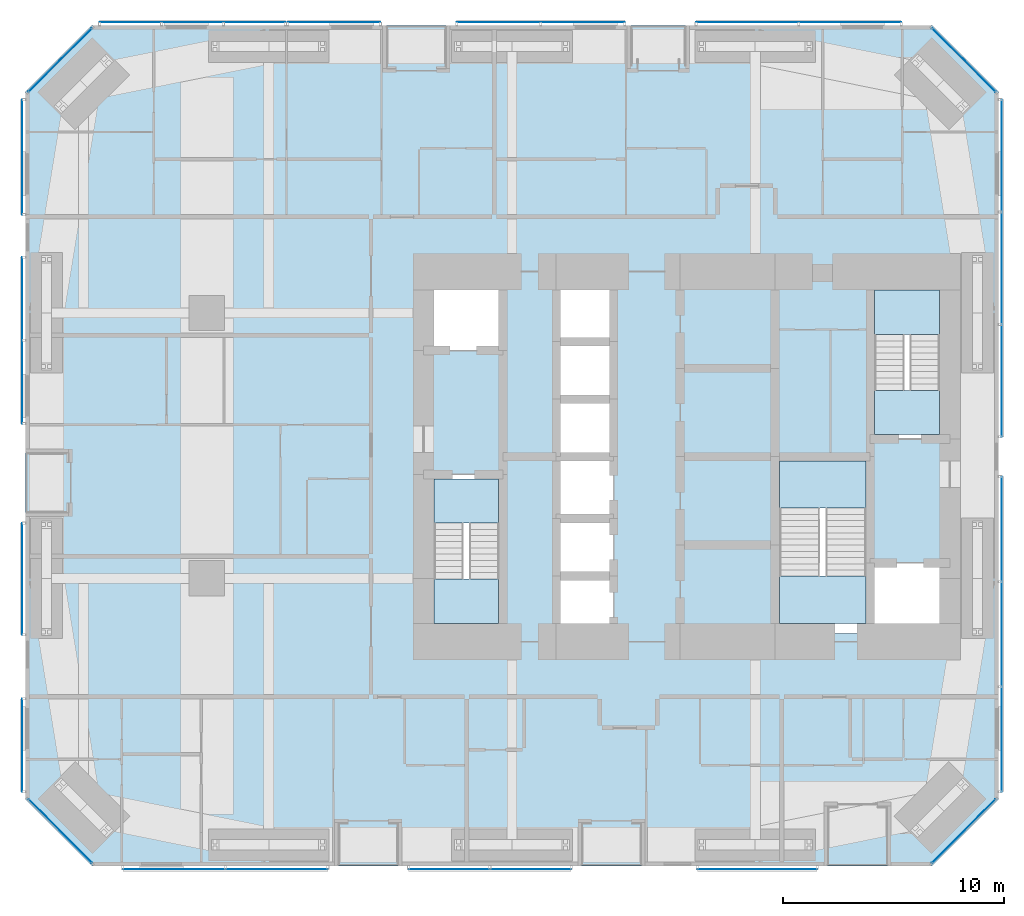
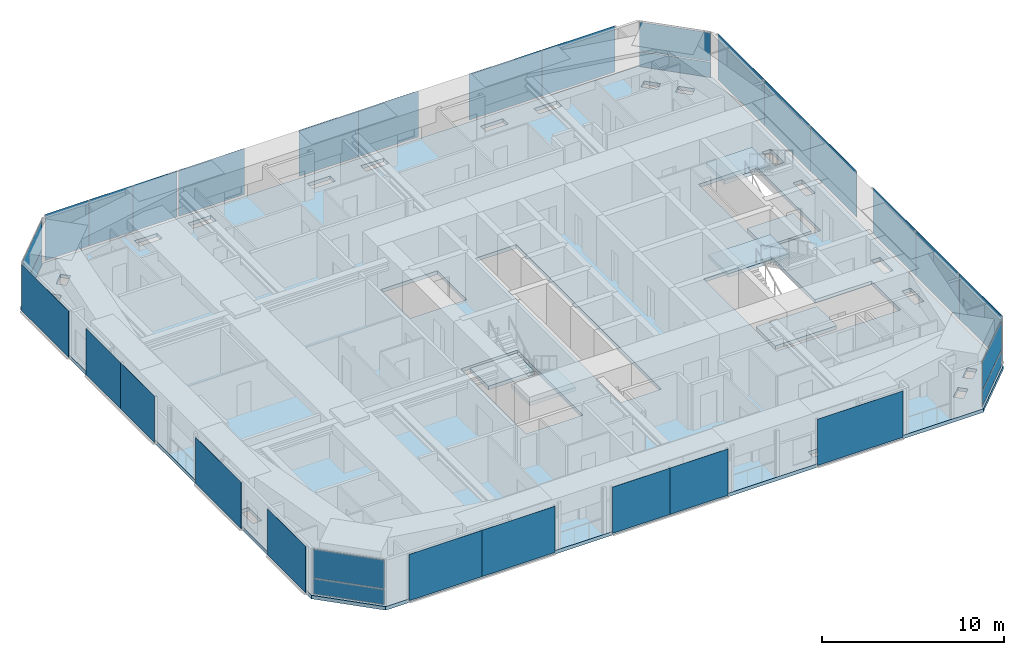
# One storey, part 15 of 23: 32 plates, 7 slabs, 20 elements without a shape of their own.
"""IFC4 building model written with IfcOpenShell, lengths in metres."""

from ifc_helpers import new_model, si_unit, direction, frame, origin, origin_2d, place, context, subcontext, project, spatial, polyline, rectangle, outline, extrude, material, layer, layer_set, type_object, element, aggregate, save


model = new_model("IFC4")

# Units and contexts
model_context = context("Model", 3, precision=1e-05, world=origin(), true_north=direction((0.0, 1.0)))
body_context = subcontext(model_context, "Body", "Model", "MODEL_VIEW")
ifc_project = project(units=[si_unit("LENGTHUNIT", "METRE"), si_unit("AREAUNIT", "SQUARE_METRE"), si_unit("VOLUMEUNIT", "CUBIC_METRE"), si_unit("PLANEANGLEUNIT", "RADIAN"), si_unit("MASSUNIT", "GRAM", prefix="KILO")], contexts=[model_context])

# Site, building, storey
site_placement = place(None, origin())
site = spatial("IfcSite", under=ifc_project, at=site_placement, CompositionType="ELEMENT")
building_placement = place(site_placement, origin())
building = spatial("IfcBuilding", under=site, at=building_placement, Name="Jalousie Tower", CompositionType="ELEMENT")
storey_placement = place(building_placement, frame((0.0, 0.0, 34.39990234375)))
storey = spatial("IfcBuildingStorey", under=building, at=storey_placement, Name="L08", CompositionType="ELEMENT", Elevation=34.39990234375)

# Curtain wall, plates
ifc_material_1 = material(Name="Aluminium curtain wall", Category="aluminium")
curtain_wall_type_1 = type_object("IfcCurtainWallType", Name="CORNER WINDOW WALL", PredefinedType="USERDEFINED", material=ifc_material_1)
curtain_wall_1_placement = place(storey_placement, origin())
curtain_wall_1 = element("IfcCurtainWall", 1, at=curtain_wall_1_placement, inside=storey, type_object=curtain_wall_type_1, Name="Corner Window Wall L08 2", ObjectType="CORNER WINDOW WALL", PredefinedType="USERDEFINED")
ifc_material_2 = material(Name="Laminated impact-rated spandrel glass", Category="glass")
ifc_layer_1 = layer(ifc_material_2, 0.028076171875)
ifc_layer_set_1 = layer_set([ifc_layer_1], Name="Laminated impact-rated spandrel glass")
plate_type_1 = type_object("IfcPlateType", Name="CORNER WINDOW WALL PANEL", PredefinedType="CURTAIN_PANEL", material=ifc_layer_set_1)
plate_1_placement = place(storey_placement, frame((44.4306640625, 1.5693359375, 0.06005859375), z_axis=(0.0, 0.0, 1.0), x_axis=(0.707106781187, 0.707106781187, 0.0)))
plate_1 = element("IfcPlate", 2, at=plate_1_placement, type_object=plate_type_1, Name="CW-C panel 1.1", PredefinedType="CURTAIN_PANEL", context=body_context, shape_type="SweptSolid", body=[
    extrude(rectangle(XDim=4.071533203125, YDim=0.028076171875, at=origin_2d()), origin(), (0.0, 0.0, 1.0), 1.010009765625),
])
plate_2_placement = place(storey_placement, frame((44.4306640625, 1.5693359375, 1.130126953125), z_axis=(0.0, 0.0, 1.0), x_axis=(0.707106781187, 0.707106781187, 0.0)))
plate_2 = element("IfcPlate", 3, at=plate_2_placement, type_object=plate_type_1, Name="CW-C panel 1.2", PredefinedType="CURTAIN_PANEL", context=body_context, shape_type="SweptSolid", body=[
    extrude(rectangle(XDim=4.071533203125, YDim=0.028076171875, at=origin_2d()), origin(), (0.0, 0.0, 1.0), 1.919921875),
])
aggregate(curtain_wall_1, [plate_1, plate_2])

curtain_wall_2_placement = place(storey_placement, origin())
curtain_wall_2 = element("IfcCurtainWall", 4, at=curtain_wall_2_placement, inside=storey, type_object=curtain_wall_type_1, Name="Corner Window Wall L08 4", ObjectType="CORNER WINDOW WALL", PredefinedType="USERDEFINED")
plate_3_placement = place(storey_placement, frame((44.4306640625, 36.4306640625, 0.06005859375), z_axis=(0.0, 0.0, 1.0), x_axis=(-0.707106781187, 0.707106781187, 0.0)))
plate_3 = element("IfcPlate", 5, at=plate_3_placement, type_object=plate_type_1, Name="CW-C panel 1.1", PredefinedType="CURTAIN_PANEL", context=body_context, shape_type="SweptSolid", body=[
    extrude(rectangle(XDim=4.071533203125, YDim=0.028076171875, at=origin_2d()), origin(), (0.0, 0.0, 1.0), 1.010009765625),
])
plate_4_placement = place(storey_placement, frame((44.4306640625, 36.4306640625, 1.130126953125), z_axis=(0.0, 0.0, 1.0), x_axis=(-0.707106781187, 0.707106781187, 0.0)))
plate_4 = element("IfcPlate", 6, at=plate_4_placement, type_object=plate_type_1, Name="CW-C panel 1.2", PredefinedType="CURTAIN_PANEL", context=body_context, shape_type="SweptSolid", body=[
    extrude(rectangle(XDim=4.071533203125, YDim=0.028076171875, at=origin_2d()), origin(), (0.0, 0.0, 1.0), 1.919921875),
])
aggregate(curtain_wall_2, [plate_3, plate_4])

curtain_wall_3_placement = place(storey_placement, origin())
curtain_wall_3 = element("IfcCurtainWall", 7, at=curtain_wall_3_placement, inside=storey, type_object=curtain_wall_type_1, Name="Corner Window Wall L08 6", ObjectType="CORNER WINDOW WALL", PredefinedType="USERDEFINED")
plate_5_placement = place(storey_placement, frame((3.5693359375, 36.4306640625, 0.06005859375), z_axis=(0.0, 0.0, 1.0), x_axis=(-0.707106781187, -0.707106781187, 0.0)))
plate_5 = element("IfcPlate", 8, at=plate_5_placement, type_object=plate_type_1, Name="CW-C panel 1.1", PredefinedType="CURTAIN_PANEL", context=body_context, shape_type="SweptSolid", body=[
    extrude(rectangle(XDim=4.071533203125, YDim=0.028076171875, at=origin_2d()), origin(), (0.0, 0.0, 1.0), 1.010009765625),
])
plate_6_placement = place(storey_placement, frame((3.5693359375, 36.4306640625, 1.130126953125), z_axis=(0.0, 0.0, 1.0), x_axis=(-0.707106781187, -0.707106781187, 0.0)))
plate_6 = element("IfcPlate", 9, at=plate_6_placement, type_object=plate_type_1, Name="CW-C panel 1.2", PredefinedType="CURTAIN_PANEL", context=body_context, shape_type="SweptSolid", body=[
    extrude(rectangle(XDim=4.071533203125, YDim=0.028076171875, at=origin_2d()), origin(), (0.0, 0.0, 1.0), 1.919921875),
])
aggregate(curtain_wall_3, [plate_5, plate_6])

curtain_wall_4_placement = place(storey_placement, origin())
curtain_wall_4 = element("IfcCurtainWall", 10, at=curtain_wall_4_placement, inside=storey, type_object=curtain_wall_type_1, Name="Corner Window Wall L08 8", ObjectType="CORNER WINDOW WALL", PredefinedType="USERDEFINED")
plate_7_placement = place(storey_placement, frame((3.5693359375, 1.5693359375, 0.06005859375), z_axis=(0.0, 0.0, 1.0), x_axis=(0.707106781187, -0.707106781187, 0.0)))
plate_7 = element("IfcPlate", 11, at=plate_7_placement, type_object=plate_type_1, Name="CW-C panel 1.1", PredefinedType="CURTAIN_PANEL", context=body_context, shape_type="SweptSolid", body=[
    extrude(rectangle(XDim=4.071533203125, YDim=0.028076171875, at=origin_2d()), origin(), (0.0, 0.0, 1.0), 1.010009765625),
])
plate_8_placement = place(storey_placement, frame((3.5693359375, 1.5693359375, 1.130126953125), z_axis=(0.0, 0.0, 1.0), x_axis=(0.707106781187, -0.707106781187, 0.0)))
plate_8 = element("IfcPlate", 12, at=plate_8_placement, type_object=plate_type_1, Name="CW-C panel 1.2", PredefinedType="CURTAIN_PANEL", context=body_context, shape_type="SweptSolid", body=[
    extrude(rectangle(XDim=4.071533203125, YDim=0.028076171875, at=origin_2d()), origin(), (0.0, 0.0, 1.0), 1.919921875),
])
aggregate(curtain_wall_4, [plate_7, plate_8])

# Slab
ifc_material_3 = material(Name="Concrete f'c 40 MPa", Category="concrete")
ifc_layer_2 = layer(ifc_material_3, 0.239990234375)
ifc_layer_set_2 = layer_set([ifc_layer_2], Name="Concrete f'c 40 MPa")
slab_type_1 = type_object("IfcSlabType", Name="FLOOR SLAB 240", PredefinedType="FLOOR", material=ifc_layer_set_2)
slab_1_placement = place(storey_placement, frame((0.0, 0.0, -0.239990234375)))
element("IfcSlab", 13, at=slab_1_placement, inside=storey, type_object=slab_type_1, Name="L08 floor slab", PredefinedType="FLOOR", context=body_context, shape_type="SweptSolid", body=[
    extrude(outline(polyline([(5.0, 0.0), (43.0, 0.0), (46.0, 3.0), (46.0, 35.0), (43.0, 38.0), (5.0, 38.0), (2.0, 35.0), (2.0, 3.0), (5.0, 0.0)]), holes=[polyline([(24.974609375, 0.663818359375), (24.974609375, 1.236083984375), (26.3642578125, 1.236083984375), (26.425048828125, 1.236083984375), (26.425048828125, 0.663818359375), (26.3642578125, 0.663818359375), (24.974609375, 0.663818359375)]), polyline([(23.025390625, 1.236083984375), (23.025390625, 0.663818359375), (21.6357421875, 0.663818359375), (21.574951171875, 0.663818359375), (21.574951171875, 1.236083984375), (21.6357421875, 1.236083984375), (23.025390625, 1.236083984375)]), polyline([(10.574951171875, 1.236083984375), (10.6357421875, 1.236083984375), (12.025390625, 1.236083984375), (12.025390625, 0.663818359375), (10.6357421875, 0.663818359375), (10.574951171875, 0.663818359375), (10.574951171875, 1.236083984375)]), polyline([(13.974609375, 1.236083984375), (15.3642578125, 1.236083984375), (15.425048828125, 1.236083984375), (15.425048828125, 0.663818359375), (15.3642578125, 0.663818359375), (13.974609375, 0.663818359375), (13.974609375, 1.236083984375)]), polyline([(5.373291015625, 1.484619140625), (4.78564453125, 2.072509765625), (5.1904296875, 2.47705078125), (5.778076171875, 1.889404296875), (5.859130859375, 1.808349609375), (5.859130859375, 1.808349609375), (5.859130859375, 1.808349609375), (5.65673828125, 1.606201171875), (5.454345703125, 1.40380859375), (5.373291015625, 1.484619140625), (5.373291015625, 1.484619140625)]), polyline([(4.072509765625, 2.78564453125), (3.40380859375, 3.454345703125), (3.808349609375, 3.859130859375), (3.889404296875, 3.778076171875), (4.47705078125, 3.1904296875), (4.072509765625, 2.78564453125)]), polyline([(3.236083984375, 10.574951171875), (2.663818359375, 10.574951171875), (2.663818359375, 10.6357421875), (2.663818359375, 12.025390625), (3.236083984375, 12.025390625), (3.236083984375, 10.6357421875), (3.236083984375, 10.574951171875)]), polyline([(26.0, 10.5), (26.0, 26.5), (28.60009765625, 26.5), (28.60009765625, 10.5), (26.0, 10.5)]), polyline([(20.0, 10.5), (23.60009765625, 10.5), (23.60009765625, 17.699951171875), (20.0, 17.699951171875), (20.0, 10.5)]), polyline([(3.236083984375, 15.3642578125), (3.236083984375, 13.974609375), (2.663818359375, 13.974609375), (2.663818359375, 15.3642578125), (2.663818359375, 15.425048828125), (3.236083984375, 15.425048828125), (3.236083984375, 15.3642578125)]), polyline([(2.663818359375, 24.025390625), (3.236083984375, 24.025390625), (3.236083984375, 22.6357421875), (3.236083984375, 22.574951171875), (2.663818359375, 22.574951171875), (2.663818359375, 22.6357421875), (2.663818359375, 24.025390625)]), polyline([(20.0, 23.300048828125), (23.60009765625, 23.300048828125), (23.60009765625, 26.5), (20.0, 26.5), (20.0, 23.300048828125)]), polyline([(3.236083984375, 25.974609375), (2.663818359375, 25.974609375), (2.663818359375, 27.3642578125), (2.663818359375, 27.425048828125), (3.236083984375, 27.425048828125), (3.236083984375, 27.3642578125), (3.236083984375, 25.974609375)]), polyline([(3.808349609375, 34.140869140625), (3.606201171875, 34.34326171875), (3.40380859375, 34.545654296875), (3.484619140625, 34.626708984375), (3.484619140625, 34.626708984375), (4.072509765625, 35.21435546875), (4.47705078125, 34.8095703125), (3.889404296875, 34.221923828125), (3.808349609375, 34.140869140625), (3.808349609375, 34.140869140625), (3.808349609375, 34.140869140625)]), polyline([(5.859130859375, 36.191650390625), (5.1904296875, 35.52294921875), (4.78564453125, 35.927490234375), (5.454345703125, 36.59619140625), (5.454345703125, 36.59619140625), (5.454345703125, 36.59619140625), (5.65673828125, 36.393798828125), (5.859130859375, 36.191650390625)]), polyline([(15.425048828125, 37.336181640625), (15.425048828125, 36.763916015625), (15.3642578125, 36.763916015625), (13.974609375, 36.763916015625), (13.974609375, 37.336181640625), (15.3642578125, 37.336181640625), (15.425048828125, 37.336181640625)]), polyline([(23.025390625, 36.763916015625), (21.6357421875, 36.763916015625), (21.574951171875, 36.763916015625), (21.574951171875, 37.336181640625), (21.6357421875, 37.336181640625), (23.025390625, 37.336181640625), (23.025390625, 36.763916015625)]), polyline([(10.574951171875, 36.763916015625), (10.574951171875, 37.336181640625), (10.6357421875, 37.336181640625), (12.025390625, 37.336181640625), (12.025390625, 36.763916015625), (10.6357421875, 36.763916015625), (10.574951171875, 36.763916015625)]), polyline([(24.974609375, 37.336181640625), (26.3642578125, 37.336181640625), (26.425048828125, 37.336181640625), (26.425048828125, 36.763916015625), (26.3642578125, 36.763916015625), (24.974609375, 36.763916015625), (24.974609375, 37.336181640625)]), polyline([(32.6357421875, 0.663818359375), (32.574951171875, 0.663818359375), (32.574951171875, 1.236083984375), (32.6357421875, 1.236083984375), (34.025390625, 1.236083984375), (34.025390625, 0.663818359375), (32.6357421875, 0.663818359375)]), polyline([(37.3642578125, 1.236083984375), (37.425048828125, 1.236083984375), (37.425048828125, 0.663818359375), (37.3642578125, 0.663818359375), (35.974609375, 0.663818359375), (35.974609375, 1.236083984375), (37.3642578125, 1.236083984375)]), polyline([(42.626708984375, 1.484619140625), (42.545654296875, 1.40380859375), (42.34326171875, 1.606201171875), (42.140869140625, 1.808349609375), (42.140869140625, 1.808349609375), (42.140869140625, 1.808349609375), (42.221923828125, 1.889404296875), (42.8095703125, 2.47705078125), (43.21435546875, 2.072509765625), (42.626708984375, 1.484619140625), (42.626708984375, 1.484619140625)]), polyline([(44.191650390625, 3.859130859375), (44.393798828125, 3.65673828125), (44.59619140625, 3.454345703125), (44.59619140625, 3.454345703125), (44.59619140625, 3.454345703125), (43.927490234375, 2.78564453125), (43.52294921875, 3.1904296875), (44.191650390625, 3.859130859375)]), polyline([(45.336181640625, 10.574951171875), (44.763916015625, 10.574951171875), (44.763916015625, 10.6357421875), (44.763916015625, 12.025390625), (45.336181640625, 12.025390625), (45.336181640625, 10.6357421875), (45.336181640625, 10.574951171875)]), polyline([(35.89990234375, 10.5), (35.89990234375, 18.5), (40.199951171875, 18.5), (40.199951171875, 13.699951171875), (43.800048828125, 13.699951171875), (43.800048828125, 10.5), (35.89990234375, 10.5)]), polyline([(45.336181640625, 13.974609375), (44.763916015625, 13.974609375), (44.763916015625, 15.3642578125), (44.763916015625, 15.425048828125), (45.336181640625, 15.425048828125), (45.336181640625, 15.3642578125), (45.336181640625, 13.974609375)]), polyline([(40.199951171875, 19.300048828125), (43.800048828125, 19.300048828125), (43.800048828125, 26.5), (40.199951171875, 26.5), (40.199951171875, 19.300048828125)]), polyline([(45.336181640625, 22.574951171875), (44.763916015625, 22.574951171875), (44.763916015625, 22.6357421875), (44.763916015625, 24.025390625), (45.336181640625, 24.025390625), (45.336181640625, 22.6357421875), (45.336181640625, 22.574951171875)]), polyline([(45.336181640625, 27.3642578125), (45.336181640625, 25.974609375), (44.763916015625, 25.974609375), (44.763916015625, 27.3642578125), (44.763916015625, 27.425048828125), (45.336181640625, 27.425048828125), (45.336181640625, 27.3642578125)]), polyline([(43.927490234375, 35.21435546875), (44.59619140625, 34.545654296875), (44.59619140625, 34.545654296875), (44.393798828125, 34.34326171875), (44.191650390625, 34.140869140625), (43.52294921875, 34.8095703125), (43.927490234375, 35.21435546875)]), polyline([(43.21435546875, 35.927490234375), (42.8095703125, 35.52294921875), (42.140869140625, 36.191650390625), (42.34326171875, 36.393798828125), (42.545654296875, 36.59619140625), (42.545654296875, 36.59619140625), (43.21435546875, 35.927490234375)]), polyline([(37.3642578125, 37.336181640625), (37.425048828125, 37.336181640625), (37.425048828125, 36.763916015625), (37.3642578125, 36.763916015625), (35.974609375, 36.763916015625), (35.974609375, 37.336181640625), (37.3642578125, 37.336181640625)]), polyline([(34.025390625, 37.336181640625), (34.025390625, 36.763916015625), (32.6357421875, 36.763916015625), (32.574951171875, 36.763916015625), (32.574951171875, 37.336181640625), (32.6357421875, 37.336181640625), (34.025390625, 37.336181640625)])]), origin(), (0.0, 0.0, 1.0), 0.239990234375),
])

# Curtain wall, plates
ifc_material_4 = material(Name="Perforated aluminium sheet", Category="aluminium")
curtain_wall_type_2 = type_object("IfcCurtainWallType", Name="SOLAR SCREEN SS-1", PredefinedType="USERDEFINED", material=ifc_material_4)
curtain_wall_5_placement = place(storey_placement, origin())
curtain_wall_5 = element("IfcCurtainWall", 14, at=curtain_wall_5_placement, inside=storey, type_object=curtain_wall_type_2, Name="Solar screen L08", ObjectType="SOLAR SCREEN SS-1", PredefinedType="USERDEFINED")
ifc_material_5 = material(Name="Perforated aluminium sheet", Category="aluminium")
ifc_layer_3 = layer(ifc_material_5, 0.006103515625)
ifc_layer_set_3 = layer_set([ifc_layer_3], Name="Perforated aluminium sheet")
plate_type_2 = type_object("IfcPlateType", Name="SOLAR SCREEN SS-1 PANEL", PredefinedType="CURTAIN_PANEL", material=ifc_layer_set_3)
plate_9_placement = place(storey_placement, frame((8.71875, -0.150390625, 0.0), z_axis=(0.0, 0.0, 1.0), x_axis=(1.0, 0.0, 0.0)))
plate_9 = element("IfcPlate", 15, at=plate_9_placement, type_object=plate_type_2, Name="SS1 perforated panel 1", PredefinedType="CURTAIN_PANEL", context=body_context, shape_type="SweptSolid", body=[
    extrude(rectangle(XDim=4.637451171875, YDim=0.006103515625, at=origin_2d()), origin(), (0.0, 0.0, 1.0), 3.110107421875),
])
plate_10_placement = place(storey_placement, frame((13.356201171875, -0.150390625, 0.0), z_axis=(0.0, 0.0, 1.0), x_axis=(1.0, 0.0, 0.0)))
plate_10 = element("IfcPlate", 16, at=plate_10_placement, type_object=plate_type_2, Name="SS1 perforated panel 2", PredefinedType="CURTAIN_PANEL", context=body_context, shape_type="SweptSolid", body=[
    extrude(rectangle(XDim=4.637451171875, YDim=0.006103515625, at=origin_2d()), origin(), (0.0, 0.0, 1.0), 3.110107421875),
])
aggregate(curtain_wall_5, [plate_9, plate_10])

curtain_wall_6_placement = place(storey_placement, origin())
curtain_wall_6 = element("IfcCurtainWall", 17, at=curtain_wall_6_placement, inside=storey, type_object=curtain_wall_type_2, Name="Solar screen L08", ObjectType="SOLAR SCREEN SS-1", PredefinedType="USERDEFINED")
plate_11_placement = place(storey_placement, frame((21.16259765625, -0.150390625, 0.0), z_axis=(0.0, 0.0, 1.0), x_axis=(1.0, 0.0, 0.0)))
plate_11 = element("IfcPlate", 18, at=plate_11_placement, type_object=plate_type_2, Name="SS1 perforated panel 1", PredefinedType="CURTAIN_PANEL", context=body_context, shape_type="SweptSolid", body=[
    extrude(rectangle(XDim=3.675048828125, YDim=0.006103515625, at=origin_2d()), origin(), (0.0, 0.0, 1.0), 3.110107421875),
])
plate_12_placement = place(storey_placement, frame((24.83740234375, -0.150390625, 0.0), z_axis=(0.0, 0.0, 1.0), x_axis=(1.0, 0.0, 0.0)))
plate_12 = element("IfcPlate", 19, at=plate_12_placement, type_object=plate_type_2, Name="SS1 perforated panel 2", PredefinedType="CURTAIN_PANEL", context=body_context, shape_type="SweptSolid", body=[
    extrude(rectangle(XDim=3.675048828125, YDim=0.006103515625, at=origin_2d()), origin(), (0.0, 0.0, 1.0), 3.110107421875),
])
aggregate(curtain_wall_6, [plate_11, plate_12])

# Curtain wall, plate
curtain_wall_7_placement = place(storey_placement, origin())
curtain_wall_7 = element("IfcCurtainWall", 20, at=curtain_wall_7_placement, inside=storey, type_object=curtain_wall_type_2, Name="Solar screen L08", ObjectType="SOLAR SCREEN SS-1", PredefinedType="USERDEFINED")
plate_13_placement = place(storey_placement, frame((35.09130859375, -0.150390625, 0.0), z_axis=(0.0, 0.0, 1.0), x_axis=(1.0, 0.0, 0.0)))
plate_13 = element("IfcPlate", 21, at=plate_13_placement, type_object=plate_type_2, Name="SS1 perforated panel 1", PredefinedType="CURTAIN_PANEL", context=body_context, shape_type="SweptSolid", body=[
    extrude(rectangle(XDim=5.41748046875, YDim=0.006103515625, at=origin_2d()), origin(), (0.0, 0.0, 1.0), 3.110107421875),
])
aggregate(curtain_wall_7, [plate_13])

# Curtain wall, plates
curtain_wall_8_placement = place(storey_placement, origin())
curtain_wall_8 = element("IfcCurtainWall", 22, at=curtain_wall_8_placement, inside=storey, type_object=curtain_wall_type_2, Name="Solar screen L08", ObjectType="SOLAR SCREEN SS-1", PredefinedType="USERDEFINED")
plate_14_placement = place(storey_placement, frame((46.150390625, 5.72607421875, 0.0), z_axis=(0.0, 0.0, 1.0), x_axis=(0.0, 1.0, 0.0)))
plate_14 = element("IfcPlate", 23, at=plate_14_placement, type_object=plate_type_2, Name="SS1 perforated panel 1", PredefinedType="CURTAIN_PANEL", context=body_context, shape_type="SweptSolid", body=[
    extrude(rectangle(XDim=4.74951171875, YDim=0.006103515625, at=origin_2d()), origin(), (0.0, 0.0, 1.0), 3.110107421875),
])
plate_15_placement = place(storey_placement, frame((46.150390625, 10.4755859375, 0.0), z_axis=(0.0, 0.0, 1.0), x_axis=(0.0, 1.0, 0.0)))
plate_15 = element("IfcPlate", 24, at=plate_15_placement, type_object=plate_type_2, Name="SS1 perforated panel 2", PredefinedType="CURTAIN_PANEL", context=body_context, shape_type="SweptSolid", body=[
    extrude(rectangle(XDim=4.74951171875, YDim=0.006103515625, at=origin_2d()), origin(), (0.0, 0.0, 1.0), 3.110107421875),
])
plate_16_placement = place(storey_placement, frame((46.150390625, 15.22509765625, 0.0), z_axis=(0.0, 0.0, 1.0), x_axis=(0.0, 1.0, 0.0)))
plate_16 = element("IfcPlate", 25, at=plate_16_placement, type_object=plate_type_2, Name="SS1 perforated panel 3", PredefinedType="CURTAIN_PANEL", context=body_context, shape_type="SweptSolid", body=[
    extrude(rectangle(XDim=4.74951171875, YDim=0.006103515625, at=origin_2d()), origin(), (0.0, 0.0, 1.0), 3.110107421875),
])
aggregate(curtain_wall_8, [plate_14, plate_15, plate_16])

curtain_wall_9_placement = place(storey_placement, origin())
curtain_wall_9 = element("IfcCurtainWall", 26, at=curtain_wall_9_placement, inside=storey, type_object=curtain_wall_type_2, Name="Solar screen L08", ObjectType="SOLAR SCREEN SS-1", PredefinedType="USERDEFINED")
plate_17_placement = place(storey_placement, frame((46.150390625, 21.94140625, 0.0), z_axis=(0.0, 0.0, 1.0), x_axis=(0.0, 1.0, 0.0)))
plate_17 = element("IfcPlate", 27, at=plate_17_placement, type_object=plate_type_2, Name="SS1 perforated panel 1", PredefinedType="CURTAIN_PANEL", context=body_context, shape_type="SweptSolid", body=[
    extrude(rectangle(XDim=5.0830078125, YDim=0.006103515625, at=origin_2d()), origin(), (0.0, 0.0, 1.0), 3.110107421875),
])
plate_18_placement = place(storey_placement, frame((46.150390625, 27.0244140625, 0.0), z_axis=(0.0, 0.0, 1.0), x_axis=(0.0, 1.0, 0.0)))
plate_18 = element("IfcPlate", 28, at=plate_18_placement, type_object=plate_type_2, Name="SS1 perforated panel 2", PredefinedType="CURTAIN_PANEL", context=body_context, shape_type="SweptSolid", body=[
    extrude(rectangle(XDim=5.0830078125, YDim=0.006103515625, at=origin_2d()), origin(), (0.0, 0.0, 1.0), 3.110107421875),
])
plate_19_placement = place(storey_placement, frame((46.150390625, 32.107177734375, 0.0), z_axis=(0.0, 0.0, 1.0), x_axis=(0.0, 1.0, 0.0)))
plate_19 = element("IfcPlate", 29, at=plate_19_placement, type_object=plate_type_2, Name="SS1 perforated panel 3", PredefinedType="CURTAIN_PANEL", context=body_context, shape_type="SweptSolid", body=[
    extrude(rectangle(XDim=5.0830078125, YDim=0.006103515625, at=origin_2d()), origin(), (0.0, 0.0, 1.0), 3.110107421875),
])
aggregate(curtain_wall_9, [plate_17, plate_18, plate_19])

curtain_wall_10_placement = place(storey_placement, origin())
curtain_wall_10 = element("IfcCurtainWall", 30, at=curtain_wall_10_placement, inside=storey, type_object=curtain_wall_type_2, Name="Solar screen L08", ObjectType="SOLAR SCREEN SS-1", PredefinedType="USERDEFINED")
plate_20_placement = place(storey_placement, frame((39.28125, 38.150390625, 0.0), z_axis=(0.0, 0.0, 1.0), x_axis=(-1.0, 0.0, 0.0)))
plate_20 = element("IfcPlate", 31, at=plate_20_placement, type_object=plate_type_2, Name="SS1 perforated panel 1", PredefinedType="CURTAIN_PANEL", context=body_context, shape_type="SweptSolid", body=[
    extrude(rectangle(XDim=4.637451171875, YDim=0.006103515625, at=origin_2d()), origin(), (0.0, 0.0, 1.0), 3.110107421875),
])
plate_21_placement = place(storey_placement, frame((34.643798828125, 38.150390625, 0.0), z_axis=(0.0, 0.0, 1.0), x_axis=(-1.0, 0.0, 0.0)))
plate_21 = element("IfcPlate", 32, at=plate_21_placement, type_object=plate_type_2, Name="SS1 perforated panel 2", PredefinedType="CURTAIN_PANEL", context=body_context, shape_type="SweptSolid", body=[
    extrude(rectangle(XDim=4.637451171875, YDim=0.006103515625, at=origin_2d()), origin(), (0.0, 0.0, 1.0), 3.110107421875),
])
aggregate(curtain_wall_10, [plate_20, plate_21])

curtain_wall_11_placement = place(storey_placement, origin())
curtain_wall_11 = element("IfcCurtainWall", 33, at=curtain_wall_11_placement, inside=storey, type_object=curtain_wall_type_2, Name="Solar screen L08", ObjectType="SOLAR SCREEN SS-1", PredefinedType="USERDEFINED")
plate_22_placement = place(storey_placement, frame((27.199951171875, 38.150390625, 0.0), z_axis=(0.0, 0.0, 1.0), x_axis=(-1.0, 0.0, 0.0)))
plate_22 = element("IfcPlate", 34, at=plate_22_placement, type_object=plate_type_2, Name="SS1 perforated panel 1", PredefinedType="CURTAIN_PANEL", context=body_context, shape_type="SweptSolid", body=[
    extrude(rectangle(XDim=3.800048828125, YDim=0.006103515625, at=origin_2d()), origin(), (0.0, 0.0, 1.0), 3.110107421875),
])
plate_23_placement = place(storey_placement, frame((23.39990234375, 38.150390625, 0.0), z_axis=(0.0, 0.0, 1.0), x_axis=(-1.0, 0.0, 0.0)))
plate_23 = element("IfcPlate", 35, at=plate_23_placement, type_object=plate_type_2, Name="SS1 perforated panel 2", PredefinedType="CURTAIN_PANEL", context=body_context, shape_type="SweptSolid", body=[
    extrude(rectangle(XDim=3.800048828125, YDim=0.006103515625, at=origin_2d()), origin(), (0.0, 0.0, 1.0), 3.110107421875),
])
aggregate(curtain_wall_11, [plate_22, plate_23])

# Curtain wall, plate
curtain_wall_12_placement = place(storey_placement, origin())
curtain_wall_12 = element("IfcCurtainWall", 36, at=curtain_wall_12_placement, inside=storey, type_object=curtain_wall_type_2, Name="Solar screen L08", ObjectType="SOLAR SCREEN SS-1", PredefinedType="USERDEFINED")
plate_24_placement = place(storey_placement, frame((15.949951171875, 38.150390625, 0.0), z_axis=(0.0, 0.0, 1.0), x_axis=(-1.0, 0.0, 0.0)))
plate_24 = element("IfcPlate", 37, at=plate_24_placement, type_object=plate_type_2, Name="SS1 perforated panel 1", PredefinedType="CURTAIN_PANEL", context=body_context, shape_type="SweptSolid", body=[
    extrude(rectangle(XDim=4.199951171875, YDim=0.006103515625, at=origin_2d()), origin(), (0.0, 0.0, 1.0), 3.110107421875),
])
aggregate(curtain_wall_12, [plate_24])

# Curtain wall, plates
curtain_wall_13_placement = place(storey_placement, origin())
curtain_wall_13 = element("IfcCurtainWall", 38, at=curtain_wall_13_placement, inside=storey, type_object=curtain_wall_type_2, Name="Solar screen L08", ObjectType="SOLAR SCREEN SS-1", PredefinedType="USERDEFINED")
plate_25_placement = place(storey_placement, frame((12.35009765625, 38.150390625, 0.0), z_axis=(0.0, 0.0, 1.0), x_axis=(-1.0, 0.0, 0.0)))
plate_25 = element("IfcPlate", 39, at=plate_25_placement, type_object=plate_type_2, Name="SS1 perforated panel 1", PredefinedType="CURTAIN_PANEL", context=body_context, shape_type="SweptSolid", body=[
    extrude(rectangle(XDim=2.799560546875, YDim=0.006103515625, at=origin_2d()), origin(), (0.0, 0.0, 1.0), 3.110107421875),
])
plate_26_placement = place(storey_placement, frame((9.55078125, 38.150390625, 0.0), z_axis=(0.0, 0.0, 1.0), x_axis=(-1.0, 0.0, 0.0)))
plate_26 = element("IfcPlate", 40, at=plate_26_placement, type_object=plate_type_2, Name="SS1 perforated panel 2", PredefinedType="CURTAIN_PANEL", context=body_context, shape_type="SweptSolid", body=[
    extrude(rectangle(XDim=2.799560546875, YDim=0.006103515625, at=origin_2d()), origin(), (0.0, 0.0, 1.0), 3.110107421875),
])
plate_27_placement = place(storey_placement, frame((6.751220703125, 38.150390625, 0.0), z_axis=(0.0, 0.0, 1.0), x_axis=(-1.0, 0.0, 0.0)))
plate_27 = element("IfcPlate", 41, at=plate_27_placement, type_object=plate_type_2, Name="SS1 perforated panel 3", PredefinedType="CURTAIN_PANEL", context=body_context, shape_type="SweptSolid", body=[
    extrude(rectangle(XDim=2.799560546875, YDim=0.006103515625, at=origin_2d()), origin(), (0.0, 0.0, 1.0), 3.110107421875),
])
aggregate(curtain_wall_13, [plate_25, plate_26, plate_27])

# Curtain wall, plate
curtain_wall_14_placement = place(storey_placement, origin())
curtain_wall_14 = element("IfcCurtainWall", 42, at=curtain_wall_14_placement, inside=storey, type_object=curtain_wall_type_2, Name="Solar screen L08", ObjectType="SOLAR SCREEN SS-1", PredefinedType="USERDEFINED")
plate_28_placement = place(storey_placement, frame((1.849609375, 32.04931640625, 0.0), z_axis=(0.0, 0.0, 1.0), x_axis=(0.0, -1.0, 0.0)))
plate_28 = element("IfcPlate", 43, at=plate_28_placement, type_object=plate_type_2, Name="SS1 perforated panel 1", PredefinedType="CURTAIN_PANEL", context=body_context, shape_type="SweptSolid", body=[
    extrude(rectangle(XDim=5.19873046875, YDim=0.006103515625, at=origin_2d()), origin(), (0.0, 0.0, 1.0), 3.110107421875),
])
aggregate(curtain_wall_14, [plate_28])

# Curtain wall, plates
curtain_wall_15_placement = place(storey_placement, origin())
curtain_wall_15 = element("IfcCurtainWall", 44, at=curtain_wall_15_placement, inside=storey, type_object=curtain_wall_type_2, Name="Solar screen L08", ObjectType="SOLAR SCREEN SS-1", PredefinedType="USERDEFINED")
plate_29_placement = place(storey_placement, frame((1.849609375, 25.643798828125, 0.0), z_axis=(0.0, 0.0, 1.0), x_axis=(0.0, -1.0, 0.0)))
plate_29 = element("IfcPlate", 45, at=plate_29_placement, type_object=plate_type_2, Name="SS1 perforated panel 1", PredefinedType="CURTAIN_PANEL", context=body_context, shape_type="SweptSolid", body=[
    extrude(rectangle(XDim=3.762451171875, YDim=0.006103515625, at=origin_2d()), origin(), (0.0, 0.0, 1.0), 3.110107421875),
])
plate_30_placement = place(storey_placement, frame((1.849609375, 21.88134765625, 0.0), z_axis=(0.0, 0.0, 1.0), x_axis=(0.0, -1.0, 0.0)))
plate_30 = element("IfcPlate", 46, at=plate_30_placement, type_object=plate_type_2, Name="SS1 perforated panel 2", PredefinedType="CURTAIN_PANEL", context=body_context, shape_type="SweptSolid", body=[
    extrude(rectangle(XDim=3.762451171875, YDim=0.006103515625, at=origin_2d()), origin(), (0.0, 0.0, 1.0), 3.110107421875),
])
aggregate(curtain_wall_15, [plate_29, plate_30])

# Curtain wall, plate
curtain_wall_16_placement = place(storey_placement, origin())
curtain_wall_16 = element("IfcCurtainWall", 47, at=curtain_wall_16_placement, inside=storey, type_object=curtain_wall_type_2, Name="Solar screen L08", ObjectType="SOLAR SCREEN SS-1", PredefinedType="USERDEFINED")
plate_31_placement = place(storey_placement, frame((1.849609375, 12.97509765625, 0.0), z_axis=(0.0, 0.0, 1.0), x_axis=(0.0, -1.0, 0.0)))
plate_31 = element("IfcPlate", 48, at=plate_31_placement, type_object=plate_type_2, Name="SS1 perforated panel 1", PredefinedType="CURTAIN_PANEL", context=body_context, shape_type="SweptSolid", body=[
    extrude(rectangle(XDim=5.050048828125, YDim=0.006103515625, at=origin_2d()), origin(), (0.0, 0.0, 1.0), 3.110107421875),
])
aggregate(curtain_wall_16, [plate_31])

curtain_wall_17_placement = place(storey_placement, origin())
curtain_wall_17 = element("IfcCurtainWall", 49, at=curtain_wall_17_placement, inside=storey, type_object=curtain_wall_type_2, Name="Solar screen L08", ObjectType="SOLAR SCREEN SS-1", PredefinedType="USERDEFINED")
plate_32_placement = place(storey_placement, frame((1.849609375, 5.45068359375, 0.0), z_axis=(0.0, 0.0, 1.0), x_axis=(0.0, -1.0, 0.0)))
plate_32 = element("IfcPlate", 50, at=plate_32_placement, type_object=plate_type_2, Name="SS1 perforated panel 1", PredefinedType="CURTAIN_PANEL", context=body_context, shape_type="SweptSolid", body=[
    extrude(rectangle(XDim=4.19873046875, YDim=0.006103515625, at=origin_2d()), origin(), (0.0, 0.0, 1.0), 3.110107421875),
])
aggregate(curtain_wall_17, [plate_32])

# Stair, slabs
ifc_material_6 = material(Name="Concrete f'c 40 MPa", Category="concrete")
stair_type = type_object("IfcStairType", Name="EXIT STAIR", PredefinedType="HALF_TURN_STAIR", material=ifc_material_6)
stair_1_placement = place(storey_placement, origin())
stair_1 = element("IfcStair", 51, at=stair_1_placement, inside=storey, type_object=stair_type, Name="Exit stair A L08", PredefinedType="HALF_TURN_STAIR")
ifc_material_7 = material(Name="Concrete f'c 40 MPa", Category="concrete")
ifc_layer_4 = layer(ifc_material_7, 0.25)
ifc_layer_set_4 = layer_set([ifc_layer_4], Name="Concrete f'c 40 MPa")
slab_type_2 = type_object("IfcSlabType", Name="STAIR LANDING 250", PredefinedType="LANDING", material=ifc_layer_set_4)
slab_2_placement = place(storey_placement, frame((0.0, 0.0, -0.25)))
slab_2 = element("IfcSlab", 52, at=slab_2_placement, type_object=slab_type_2, Name="ST-A landing 1", PredefinedType="LANDING", context=body_context, shape_type="SweptSolid", body=[
    extrude(outline(polyline([(20.47509765625, 15.49755859375), (23.39990234375, 15.49755859375), (23.39990234375, 17.5), (20.47509765625, 17.5), (20.47509765625, 15.49755859375)])), origin(), (0.0, 0.0, 1.0), 0.25),
])
slab_3_placement = place(storey_placement, frame((0.0, 0.0, 1.425048828125)))
slab_3 = element("IfcSlab", 53, at=slab_3_placement, type_object=slab_type_2, Name="ST-A landing 2", PredefinedType="LANDING", context=body_context, shape_type="SweptSolid", body=[
    extrude(outline(polyline([(20.47509765625, 10.949951171875), (23.39990234375, 10.949951171875), (23.39990234375, 12.9775390625), (20.47509765625, 12.9775390625), (20.47509765625, 10.949951171875)])), origin(), (0.0, 0.0, 1.0), 0.25),
])
aggregate(stair_1, [slab_2, slab_3])

stair_2_placement = place(storey_placement, origin())
stair_2 = element("IfcStair", 54, at=stair_2_placement, inside=storey, type_object=stair_type, Name="Exit stair B L08", PredefinedType="HALF_TURN_STAIR")
slab_4_placement = place(storey_placement, frame((0.0, 0.0, -0.25)))
slab_4 = element("IfcSlab", 55, at=slab_4_placement, type_object=slab_type_2, Name="ST-B landing 1", PredefinedType="LANDING", context=body_context, shape_type="SweptSolid", body=[
    extrude(outline(polyline([(40.39990234375, 19.5), (43.324951171875, 19.5), (43.324951171875, 21.50244140625), (40.39990234375, 21.50244140625), (40.39990234375, 19.5)])), origin(), (0.0, 0.0, 1.0), 0.25),
])
slab_5_placement = place(storey_placement, frame((0.0, 0.0, 1.425048828125)))
slab_5 = element("IfcSlab", 56, at=slab_5_placement, type_object=slab_type_2, Name="ST-B landing 2", PredefinedType="LANDING", context=body_context, shape_type="SweptSolid", body=[
    extrude(outline(polyline([(40.39990234375, 24.0224609375), (43.324951171875, 24.0224609375), (43.324951171875, 26.050048828125), (40.39990234375, 26.050048828125), (40.39990234375, 24.0224609375)])), origin(), (0.0, 0.0, 1.0), 0.25),
])
aggregate(stair_2, [slab_4, slab_5])

stair_3_placement = place(storey_placement, origin())
stair_3 = element("IfcStair", 57, at=stair_3_placement, inside=storey, type_object=stair_type, Name="Exit stair C L08", PredefinedType="HALF_TURN_STAIR")
slab_6_placement = place(storey_placement, frame((0.0, 0.0, -0.25)))
slab_6 = element("IfcSlab", 58, at=slab_6_placement, type_object=slab_type_2, Name="ST-C landing 1", PredefinedType="LANDING", context=body_context, shape_type="SweptSolid", body=[
    extrude(outline(polyline([(36.10009765625, 10.949951171875), (40.0, 10.949951171875), (40.0, 13.097412109375), (36.10009765625, 13.097412109375), (36.10009765625, 10.949951171875)])), origin(), (0.0, 0.0, 1.0), 0.25),
])
slab_7_placement = place(storey_placement, frame((0.0, 0.0, 1.425048828125)))
slab_7 = element("IfcSlab", 59, at=slab_7_placement, type_object=slab_type_2, Name="ST-C landing 2", PredefinedType="LANDING", context=body_context, shape_type="SweptSolid", body=[
    extrude(outline(polyline([(36.10009765625, 16.177490234375), (40.0, 16.177490234375), (40.0, 18.300048828125), (36.10009765625, 18.300048828125), (36.10009765625, 16.177490234375)])), origin(), (0.0, 0.0, 1.0), 0.25),
])
aggregate(stair_3, [slab_6, slab_7])

save(model, "model.ifc")
